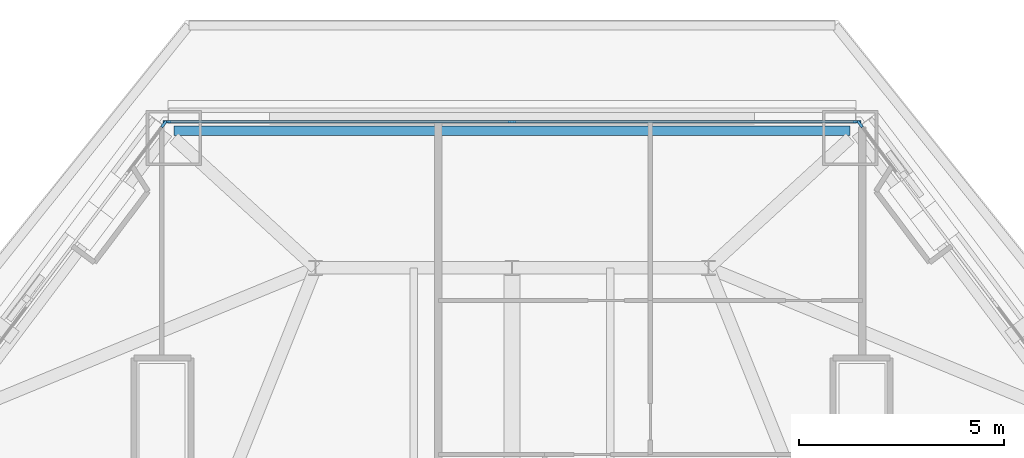
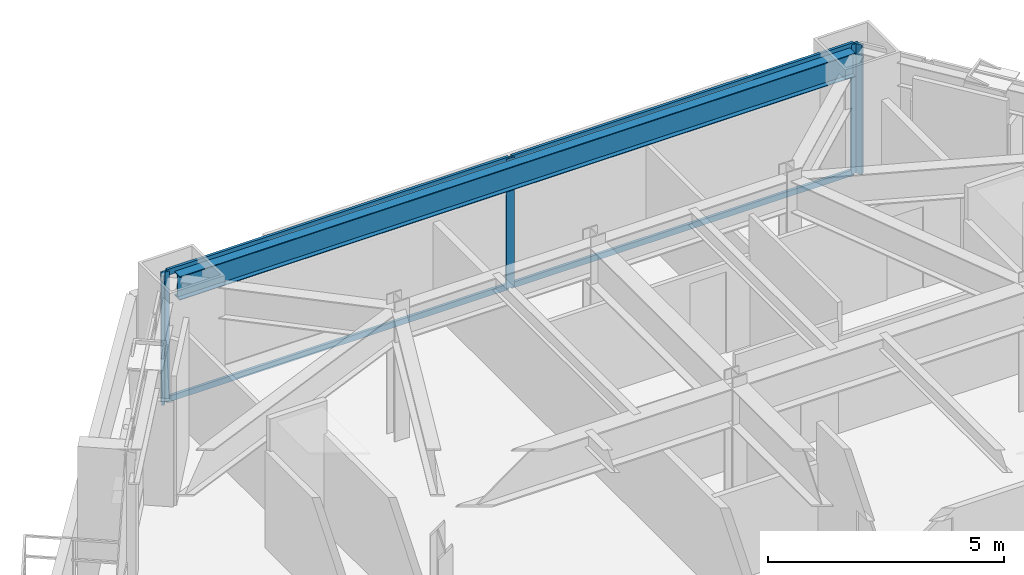
# One storey, part 5 of 13: 9 members, 1 beam, 3 elements without a shape of their own.
"""IFC4 building model written with IfcOpenShell, lengths in metres."""

from ifc_helpers import new_model, si_unit, direction, frame, origin, origin_2d, place, context, subcontext, project, spatial, rectangle, i_section, extrude, material, layer, layer_set, material_profile, profile_set, type_object, element, aggregate, save


model = new_model("IFC4")

# Units and contexts
model_context = context("Model", 3, precision=1e-05, world=origin(), true_north=direction((0.0, 1.0)))
body_context = subcontext(model_context, "Body", "Model", "MODEL_VIEW")
ifc_project = project(units=[si_unit("LENGTHUNIT", "METRE"), si_unit("AREAUNIT", "SQUARE_METRE"), si_unit("VOLUMEUNIT", "CUBIC_METRE"), si_unit("PLANEANGLEUNIT", "RADIAN"), si_unit("MASSUNIT", "GRAM", prefix="KILO")], contexts=[model_context])

# Site, building, storey
site_placement = place(None, origin())
site = spatial("IfcSite", under=ifc_project, at=site_placement, CompositionType="ELEMENT")
building_placement = place(site_placement, origin())
building = spatial("IfcBuilding", under=site, at=building_placement, Name="Talgorran Terracotta Tower", CompositionType="ELEMENT")
storey_placement = place(building_placement, frame((0.0, 0.0, 24.300048828125)))
storey = spatial("IfcBuildingStorey", under=building, at=storey_placement, Name="L05", CompositionType="ELEMENT", Elevation=24.300048828125)

# Beam
ifc_material_1 = material(Name="Steel S355 (300PLUS)", Category="steel")
ifc_material_profile_1 = material_profile(ifc_material_1, i_section(OverallWidth=0.22900390625, OverallDepth=0.611572265625, WebThickness=0.011962890625, FlangeThickness=0.01953125, at=origin_2d()), Name="610UB125")
ifc_profile_set_1 = profile_set([ifc_material_profile_1], Name="Steel S355 (300PLUS)")
beam_type = type_object("IfcBeamType", Name="BM_SP_610UB125", PredefinedType="SPANDREL", material=ifc_profile_set_1)
beam_placement = place(storey_placement, frame((8.26318359375, 11.75048828125, 3.044189453125), z_axis=(-1.0, 0.0, 0.0), x_axis=(0.0, -1.0, 0.0)))
element("IfcBeam", 1, at=beam_placement, inside=storey, type_object=beam_type, Name="L05 Perimeter Spandrel Beam MC5-MC6", PredefinedType="SPANDREL", context=body_context, shape_type="SweptSolid", body=[
    extrude(i_section(OverallWidth=0.22900390625, OverallDepth=0.611572265625, WebThickness=0.011962890625, FlangeThickness=0.01953125, at=origin_2d()), origin(), (0.0, 0.0, 1.0), 16.5263671875),
])

# Curtain wall, member
ifc_material_2 = material(Name="Unitised Low-E Double Glazing", Category="glass")
ifc_layer = layer(ifc_material_2, 0.199951171875, Name="CW_SYS2_RES_LOW")
ifc_layer_set = layer_set([ifc_layer], Name="Unitised Low-E Double Glazing")
curtain_wall_type = type_object("IfcCurtainWallType", Name="CW_SYS2_RES_LOW", PredefinedType="NOTDEFINED", material=ifc_layer_set)
curtain_wall_1_placement = place(storey_placement, origin())
curtain_wall_1 = element("IfcCurtainWall", 2, at=curtain_wall_1_placement, inside=storey, type_object=curtain_wall_type, Name="CW-L05-F41C", PredefinedType="NOTDEFINED")
ifc_material_3 = material(Name="Architectural Aluminium 6063-T6", Category="aluminium")
ifc_material_profile_2 = material_profile(ifc_material_3, rectangle(XDim=0.06494140625, YDim=0.18505859375, at=origin_2d()), Name="CWM65X185")
ifc_profile_set_2 = profile_set([ifc_material_profile_2], Name="Architectural Aluminium 6063-T6")
member_type_1 = type_object("IfcMemberType", Name="MUL_65X185", PredefinedType="MULLION", material=ifc_profile_set_2)
member_1_placement = place(storey_placement, frame((8.50634765625, 11.91259765625, 0.0), z_axis=(0.0, 0.0, 1.0), x_axis=(-0.798648355676, -0.601797976048, 0.0)))
member_1 = element("IfcMember", 3, at=member_1_placement, type_object=member_type_1, Name="CW-L05-41C mullion 2", PredefinedType="MULLION", context=body_context, shape_type="SweptSolid", body=[
    extrude(rectangle(XDim=0.06494140625, YDim=0.18505859375, at=origin_2d()), origin(), (0.0, 0.0, 1.0), 3.349853515625),
])
aggregate(curtain_wall_1, [member_1])

# Curtain wall, members
curtain_wall_2_placement = place(storey_placement, origin())
curtain_wall_2 = element("IfcCurtainWall", 4, at=curtain_wall_2_placement, inside=storey, type_object=curtain_wall_type, Name="CW-L05-F4", PredefinedType="NOTDEFINED")
member_2_placement = place(storey_placement, frame((8.43017578125, 11.970458984375, 0.0), z_axis=(0.0, 0.0, 1.0), x_axis=(0.0, -1.0, 0.0)))
member_2 = element("IfcMember", 5, at=member_2_placement, type_object=member_type_1, Name="CW-L05-4 mullion 1", PredefinedType="MULLION", context=body_context, shape_type="SweptSolid", body=[
    extrude(rectangle(XDim=0.06494140625, YDim=0.18505859375, at=origin_2d()), origin(), (0.0, 0.0, 1.0), 3.349853515625),
])
member_3_placement = place(storey_placement, frame((0.0, 11.970458984375, 0.0), z_axis=(0.0, 0.0, 1.0), x_axis=(0.0, -1.0, 0.0)))
member_3 = element("IfcMember", 6, at=member_3_placement, type_object=member_type_1, Name="CW-L05-4 mullion 2", PredefinedType="MULLION", context=body_context, shape_type="SweptSolid", body=[
    extrude(rectangle(XDim=0.06494140625, YDim=0.18505859375, at=origin_2d()), origin(), (0.0, 0.0, 1.0), 3.349853515625),
])
member_4_placement = place(storey_placement, frame((-8.43017578125, 11.970458984375, 0.0), z_axis=(0.0, 0.0, 1.0), x_axis=(0.0, -1.0, 0.0)))
member_4 = element("IfcMember", 7, at=member_4_placement, type_object=member_type_1, Name="CW-L05-4 mullion 3", PredefinedType="MULLION", context=body_context, shape_type="SweptSolid", body=[
    extrude(rectangle(XDim=0.06494140625, YDim=0.18505859375, at=origin_2d()), origin(), (0.0, 0.0, 1.0), 3.349853515625),
])

# Curtain wall, member
curtain_wall_3_placement = place(storey_placement, origin())
curtain_wall_3 = element("IfcCurtainWall", 8, at=curtain_wall_3_placement, inside=storey, type_object=curtain_wall_type, Name="CW-L05-F60", PredefinedType="NOTDEFINED")
member_5_placement = place(storey_placement, frame((-8.50634765625, 11.91259765625, 0.0), z_axis=(0.0, 0.0, 1.0), x_axis=(0.798648355676, -0.601797976048, 0.0)))
member_5 = element("IfcMember", 9, at=member_5_placement, type_object=member_type_1, Name="CW-L05-60 mullion 1", PredefinedType="MULLION", context=body_context, shape_type="SweptSolid", body=[
    extrude(rectangle(XDim=0.06494140625, YDim=0.18505859375, at=origin_2d()), origin(), (0.0, 0.0, 1.0), 3.349853515625),
])
aggregate(curtain_wall_3, [member_5])

# Member
ifc_material_profile_3 = material_profile(ifc_material_3, rectangle(XDim=0.06494140625, YDim=0.14990234375, at=origin_2d()), Name="CWT65X150")
ifc_profile_set_3 = profile_set([ifc_material_profile_3], Name="Architectural Aluminium 6063-T6")
member_type_2 = type_object("IfcMemberType", Name="TRN_65X150", PredefinedType="USERDEFINED", material=ifc_profile_set_3)
member_6_placement = place(storey_placement, frame((8.397705078125, 11.970458984375, 0.032470703125), z_axis=(-1.0, 0.0, 0.0), x_axis=(0.0, -1.0, 0.0)))
member_6 = element("IfcMember", 10, at=member_6_placement, type_object=member_type_2, Name="CW-L05-4 transom 1.1", ObjectType="TRANSOM", PredefinedType="USERDEFINED", context=body_context, shape_type="SweptSolid", body=[
    extrude(rectangle(XDim=0.06494140625, YDim=0.14990234375, at=origin_2d()), origin(), (0.0, 0.0, 1.0), 8.365234375),
])

member_7_placement = place(storey_placement, frame((8.397705078125, 11.970458984375, 3.3173828125), z_axis=(-1.0, 0.0, 0.0), x_axis=(0.0, -1.0, 0.0)))
member_7 = element("IfcMember", 11, at=member_7_placement, type_object=member_type_2, Name="CW-L05-4 transom 1.2", ObjectType="TRANSOM", PredefinedType="USERDEFINED", context=body_context, shape_type="SweptSolid", body=[
    extrude(rectangle(XDim=0.06494140625, YDim=0.14990234375, at=origin_2d()), origin(), (0.0, 0.0, 1.0), 8.365234375),
])

member_8_placement = place(storey_placement, frame((-0.032470703125, 11.970458984375, 0.032470703125), z_axis=(-1.0, 0.0, 0.0), x_axis=(0.0, -1.0, 0.0)))
member_8 = element("IfcMember", 12, at=member_8_placement, type_object=member_type_2, Name="CW-L05-4 transom 2.1", ObjectType="TRANSOM", PredefinedType="USERDEFINED", context=body_context, shape_type="SweptSolid", body=[
    extrude(rectangle(XDim=0.06494140625, YDim=0.14990234375, at=origin_2d()), origin(), (0.0, 0.0, 1.0), 8.365234375),
])

member_9_placement = place(storey_placement, frame((-0.032470703125, 11.970458984375, 3.3173828125), z_axis=(-1.0, 0.0, 0.0), x_axis=(0.0, -1.0, 0.0)))
member_9 = element("IfcMember", 13, at=member_9_placement, type_object=member_type_2, Name="CW-L05-4 transom 2.2", ObjectType="TRANSOM", PredefinedType="USERDEFINED", context=body_context, shape_type="SweptSolid", body=[
    extrude(rectangle(XDim=0.06494140625, YDim=0.14990234375, at=origin_2d()), origin(), (0.0, 0.0, 1.0), 8.365234375),
])

aggregate(curtain_wall_2, [member_2, member_3, member_4, member_6, member_7, member_8, member_9])

save(model, "model.ifc")
